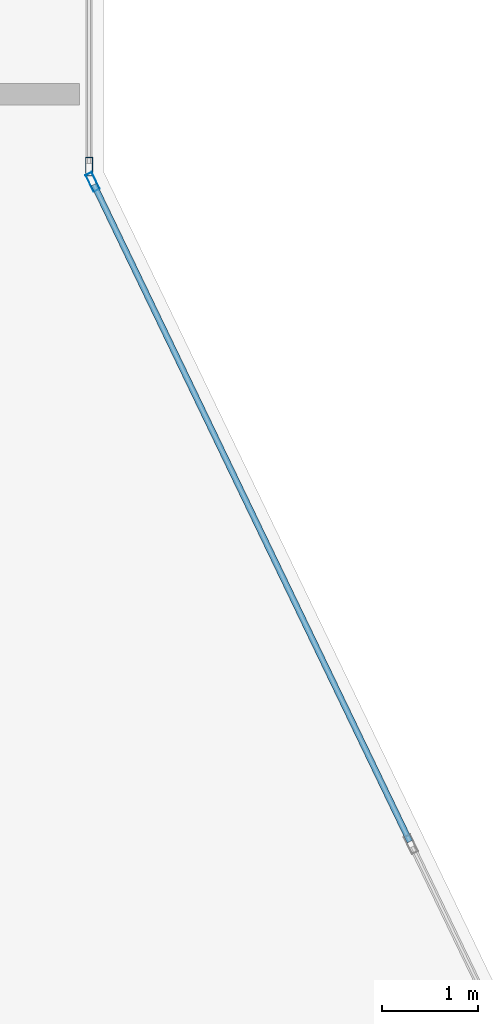
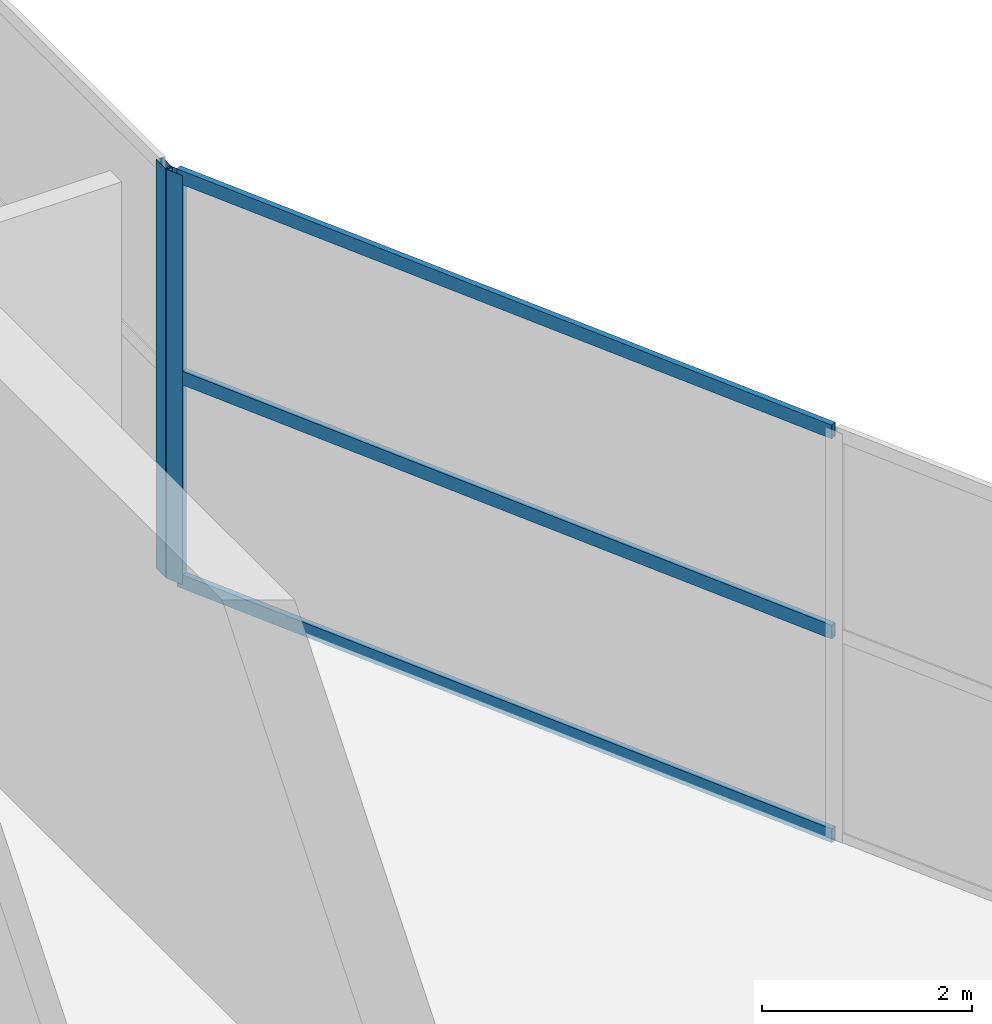
# One storey, part 15 of 20: 5 members, 2 elements without a shape of their own.
"""IFC4 building model written with IfcOpenShell, lengths in metres."""

from ifc_helpers import new_model, si_unit, direction, frame, origin, origin_2d, place, context, subcontext, project, spatial, hollow_rectangle, extrude, material, layer, layer_set, material_profile, profile_set, type_object, element, aggregate, save


model = new_model("IFC4")

# Units and contexts
model_context = context("Model", 3, precision=1e-05, world=origin(), true_north=direction((0.0, 1.0)))
body_context = subcontext(model_context, "Body", "Model", "MODEL_VIEW")
ifc_project = project(units=[si_unit("LENGTHUNIT", "METRE"), si_unit("AREAUNIT", "SQUARE_METRE"), si_unit("VOLUMEUNIT", "CUBIC_METRE"), si_unit("PLANEANGLEUNIT", "RADIAN"), si_unit("MASSUNIT", "GRAM", prefix="KILO")], contexts=[model_context])

# Site, building, storey
site_placement = place(None, origin())
site = spatial("IfcSite", under=ifc_project, at=site_placement, CompositionType="ELEMENT")
building_placement = place(site_placement, origin())
building = spatial("IfcBuilding", under=site, at=building_placement, Name="Calvorn Quay Hotel", CompositionType="ELEMENT")
storey_placement = place(building_placement, frame((0.0, 0.0, 335.5)))
storey = spatial("IfcBuildingStorey", under=building, at=storey_placement, Name="L82", CompositionType="ELEMENT", Elevation=335.5)

# Curtain wall, member
ifc_material_1 = material(Name="Pale Anodised Aluminium and Laminated Glass", Category="aluminium")
ifc_layer = layer(ifc_material_1, 0.219970703125)
ifc_layer_set = layer_set([ifc_layer], Name="CW-SYS-CRN")
curtain_wall_type = type_object("IfcCurtainWallType", Name="CW-SYS-CRN", PredefinedType="NOTDEFINED", material=ifc_layer_set)
curtain_wall_1_placement = place(storey_placement, origin())
curtain_wall_1 = element("IfcCurtainWall", 1, at=curtain_wall_1_placement, inside=storey, type_object=curtain_wall_type, Name="Crown Curtain Wall L82-C3", PredefinedType="NOTDEFINED")
ifc_material_2 = material(Name="Pale Anodised Aluminium 6063-T6", Category="aluminium")
ifc_material_profile_1 = material_profile(ifc_material_2, hollow_rectangle(XDim=0.072021484375, YDim=0.195068359375, WallThickness=0.00390625, at=origin_2d()), Name="ALU-M195x72x4")
ifc_profile_set_1 = profile_set([ifc_material_profile_1], Name="Pale Anodised Aluminium 6063-T6")
member_type_1 = type_object("IfcMemberType", Name="CW-SYS-CRN-MUL", PredefinedType="MULLION", material=ifc_profile_set_1)
member_1_placement = place(storey_placement, frame((17.886962890625, 38.2900390625, 0.0), z_axis=(0.0, 0.0, 1.0), x_axis=(-0.901199390956, -0.433404727408, 0.0)))
member_1 = element("IfcMember", 2, at=member_1_placement, type_object=member_type_1, Name="CW-L82-C3 mullion 3", PredefinedType="MULLION", context=body_context, shape_type="SweptSolid", body=[
    extrude(hollow_rectangle(XDim=0.072021484375, YDim=0.195068359375, WallThickness=0.00390625, at=origin_2d()), origin(), (0.0, 0.0, 1.0), 4.760009765625),
])

curtain_wall_2_placement = place(storey_placement, origin())
curtain_wall_2 = element("IfcCurtainWall", 3, at=curtain_wall_2_placement, inside=storey, type_object=curtain_wall_type, Name="Crown Curtain Wall L82-C4", PredefinedType="NOTDEFINED")
member_2_placement = place(storey_placement, frame((17.85009765625, 38.449951171875, 0.0), z_axis=(0.0, 0.0, 1.0), x_axis=(-1.0, 0.0, 0.0)))
member_2 = element("IfcMember", 4, at=member_2_placement, type_object=member_type_1, Name="CW-L82-C4 mullion 1", PredefinedType="MULLION", context=body_context, shape_type="SweptSolid", body=[
    extrude(hollow_rectangle(XDim=0.072021484375, YDim=0.195068359375, WallThickness=0.00390625, at=origin_2d()), origin(), (0.0, 0.0, 1.0), 4.760009765625),
])
aggregate(curtain_wall_2, [member_2])

# Member
ifc_material_3 = material(Name="Pale Anodised Aluminium 6063-T6", Category="aluminium")
ifc_material_profile_2 = material_profile(ifc_material_3, hollow_rectangle(XDim=0.06201171875, YDim=0.159912109375, WallThickness=0.00341796875, at=origin_2d()), Name="ALU-T160x62x3.5")
ifc_profile_set_2 = profile_set([ifc_material_profile_2], Name="Pale Anodised Aluminium 6063-T6")
member_type_2 = type_object("IfcMemberType", Name="CW-SYS-CRN-TRN", PredefinedType="USERDEFINED", material=ifc_profile_set_2)
member_3_placement = place(storey_placement, frame((21.175537109375, 31.4521484375, 0.030029296875), z_axis=(-0.433425122002, 0.901189582506, 0.0), x_axis=(-0.901189582506, -0.433425122002, 0.0)))
member_3 = element("IfcMember", 5, at=member_3_placement, type_object=member_type_2, Name="CW-L82-C3 transom 2.1", ObjectType="TRANSOM", PredefinedType="USERDEFINED", context=body_context, shape_type="SweptSolid", body=[
    extrude(hollow_rectangle(XDim=0.06201171875, YDim=0.159912109375, WallThickness=0.00341796875, at=origin_2d()), origin(), (0.0, 0.0, 1.0), 7.5576171875),
])

member_4_placement = place(storey_placement, frame((21.175537109375, 31.4521484375, 2.39990234375), z_axis=(-0.433425122002, 0.901189582506, 0.0), x_axis=(-0.901189582506, -0.433425122002, 0.0)))
member_4 = element("IfcMember", 6, at=member_4_placement, type_object=member_type_2, Name="CW-L82-C3 transom 2.2", ObjectType="TRANSOM", PredefinedType="USERDEFINED", context=body_context, shape_type="SweptSolid", body=[
    extrude(hollow_rectangle(XDim=0.06201171875, YDim=0.159912109375, WallThickness=0.00341796875, at=origin_2d()), origin(), (0.0, 0.0, 1.0), 7.5576171875),
])

member_5_placement = place(storey_placement, frame((21.175537109375, 31.4521484375, 4.72998046875), z_axis=(-0.433425122002, 0.901189582506, 0.0), x_axis=(-0.901189582506, -0.433425122002, 0.0)))
member_5 = element("IfcMember", 7, at=member_5_placement, type_object=member_type_2, Name="CW-L82-C3 transom 2.3", ObjectType="TRANSOM", PredefinedType="USERDEFINED", context=body_context, shape_type="SweptSolid", body=[
    extrude(hollow_rectangle(XDim=0.06201171875, YDim=0.159912109375, WallThickness=0.00341796875, at=origin_2d()), origin(), (0.0, 0.0, 1.0), 7.5576171875),
])

aggregate(curtain_wall_1, [member_1, member_3, member_4, member_5])

save(model, "model.ifc")
